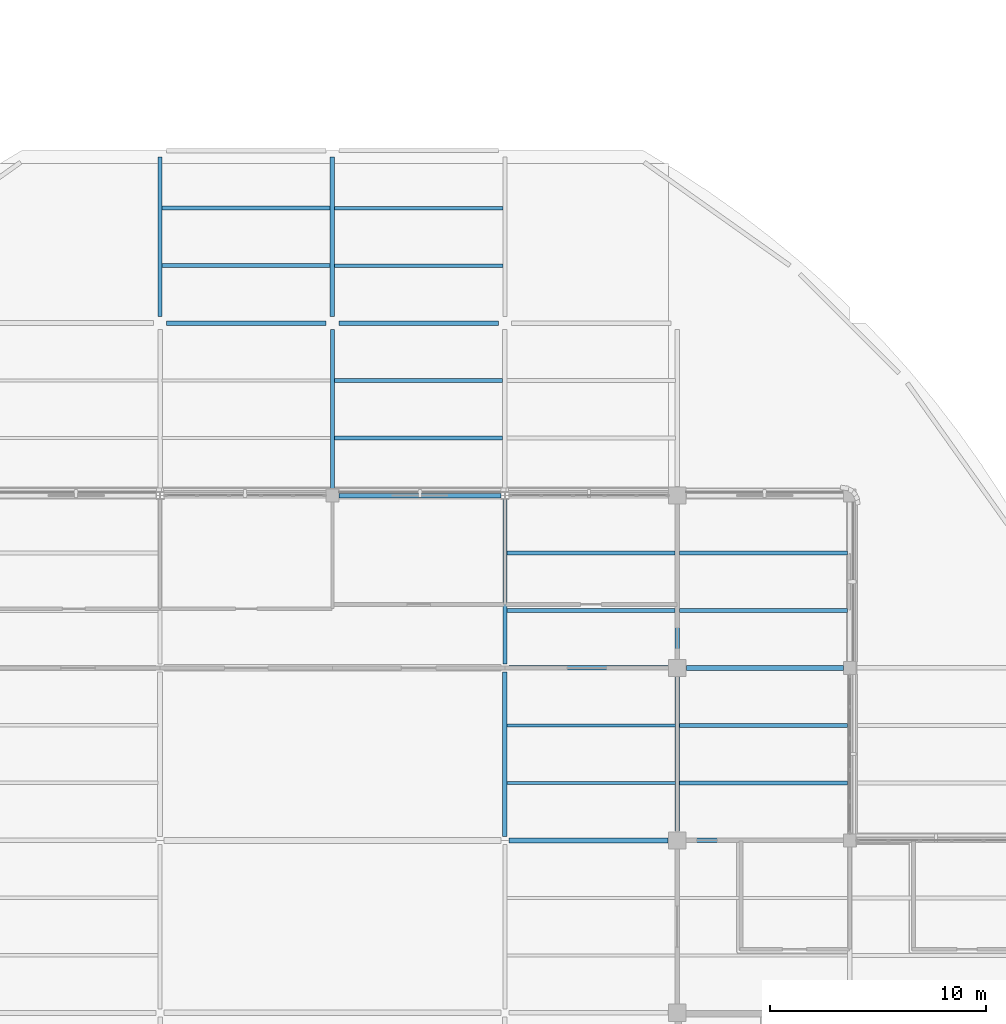
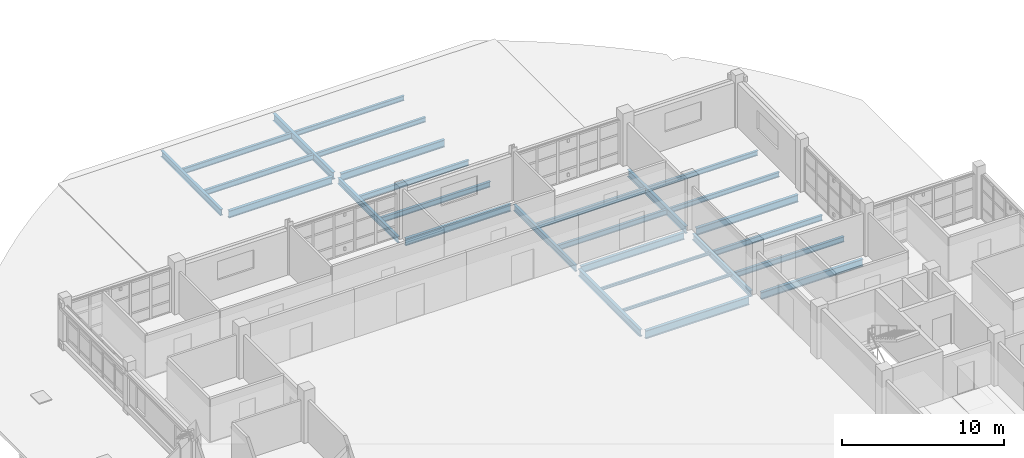
# One storey, part 41 of 126: 28 beams.
"""IFC4 building model written with IfcOpenShell, lengths in metres."""

from ifc_helpers import new_model, si_unit, derived_unit, direction, frame, origin, origin_2d, place, context, subcontext, project, spatial, i_section, extrude, material, material_profile, profile_set, type_object, element, save


model = new_model("IFC4")

# Units and contexts
model_context = context("Model", 3, precision=1e-05, world=origin(), true_north=direction((0.0, 1.0)))
body_context = subcontext(model_context, "Body", "Model", "MODEL_VIEW")
ifc_project = project(units=[si_unit("LENGTHUNIT", "METRE"), si_unit("AREAUNIT", "SQUARE_METRE"), si_unit("VOLUMEUNIT", "CUBIC_METRE"), si_unit("PLANEANGLEUNIT", "RADIAN"), si_unit("MASSUNIT", "GRAM", prefix="KILO"), derived_unit("THERMALTRANSMITTANCEUNIT", [(si_unit("MASSUNIT", "GRAM", prefix="KILO"), 1), (si_unit("TIMEUNIT", "SECOND"), -3), (si_unit("THERMODYNAMICTEMPERATUREUNIT", "KELVIN"), -1)])], contexts=[model_context])

# Site, building, storey
site_placement = place(None, origin())
site = spatial("IfcSite", under=ifc_project, at=site_placement, CompositionType="ELEMENT")
building_placement = place(site_placement, origin())
building = spatial("IfcBuilding", under=site, at=building_placement, Name="Veyamyaing Civic Hall", CompositionType="ELEMENT")
storey_placement = place(building_placement, frame((0.0, 0.0, 9.89990234375)))
storey = spatial("IfcBuildingStorey", under=building, at=storey_placement, Name="L02", CompositionType="ELEMENT", Elevation=9.89990234375)

# Beams
ifc_material = material(Name="Steel ASTM A992", Category="steel")
ifc_material_profile_1 = material_profile(ifc_material, i_section(OverallWidth=0.22802734375, OverallDepth=0.60791015625, WebThickness=0.01123046875, FlangeThickness=0.017333984375, FilletRadius=0.012939453125, at=origin_2d()), Name="W610X113")
ifc_profile_set_1 = profile_set([ifc_material_profile_1], Name="Steel ASTM A992")
beam_type_1 = type_object("IfcBeamType", Name="B-06", PredefinedType="BEAM", material=ifc_profile_set_1)
beam_1_placement = place(storey_placement, frame((96.18701171875, 64.0, -0.5888671875), z_axis=(1.0, 0.0, 0.0), x_axis=(0.0, 1.0, 0.0)))
element("IfcBeam", 1, at=beam_1_placement, inside=storey, type_object=beam_type_1, Name="Girder B-06 L02 Grid J 13-14", PredefinedType="BEAM", context=body_context, shape_type="SweptSolid", body=[
    extrude(i_section(OverallWidth=0.22802734375, OverallDepth=0.60791015625, WebThickness=0.01123046875, FlangeThickness=0.017333984375, FilletRadius=0.012939453125, at=origin_2d()), origin(), (0.0, 0.0, 1.0), 7.387939453125),
])
ifc_material_profile_2 = material_profile(ifc_material, i_section(OverallWidth=0.208984375, OverallDepth=0.532958984375, WebThickness=0.01025390625, FlangeThickness=0.015625, FilletRadius=0.011962890625, at=origin_2d()), Name="W530X92")
ifc_profile_set_2 = profile_set([ifc_material_profile_2], Name="Steel ASTM A992")
beam_type_2 = type_object("IfcBeamType", Name="B-07", PredefinedType="BEAM", material=ifc_profile_set_2)
beam_2_placement = place(storey_placement, frame((104.425048828125, 64.0, -0.551513671875), z_axis=(1.0, 0.0, 0.0), x_axis=(0.0, 1.0, 0.0)))
element("IfcBeam", 2, at=beam_2_placement, inside=storey, type_object=beam_type_2, Name="Girder B-07 L02 Grid J 14-15", PredefinedType="BEAM", context=body_context, shape_type="SweptSolid", body=[
    extrude(i_section(OverallWidth=0.208984375, OverallDepth=0.532958984375, WebThickness=0.01025390625, FlangeThickness=0.015625, FilletRadius=0.011962890625, at=origin_2d()), origin(), (0.0, 0.0, 1.0), 7.27490234375),
])
beam_3_placement = place(storey_placement, frame((96.18701171875, 72.0, -0.551513671875), z_axis=(1.0, 0.0, 0.0), x_axis=(0.0, 1.0, 0.0)))
element("IfcBeam", 3, at=beam_3_placement, inside=storey, type_object=beam_type_2, Name="Girder B-07 L02 Grid K 13-14", PredefinedType="BEAM", context=body_context, shape_type="SweptSolid", body=[
    extrude(i_section(OverallWidth=0.208984375, OverallDepth=0.532958984375, WebThickness=0.01025390625, FlangeThickness=0.015625, FilletRadius=0.011962890625, at=origin_2d()), origin(), (0.0, 0.0, 1.0), 7.387939453125),
])
beam_4_placement = place(storey_placement, frame((88.300048828125, 80.0, -0.551513671875), z_axis=(1.0, 0.0, 0.0), x_axis=(0.0, 1.0, 0.0)))
element("IfcBeam", 4, at=beam_4_placement, inside=storey, type_object=beam_type_2, Name="Girder B-07 L02 Grid L 12-13", PredefinedType="BEAM", context=body_context, shape_type="SweptSolid", body=[
    extrude(i_section(OverallWidth=0.208984375, OverallDepth=0.532958984375, WebThickness=0.01025390625, FlangeThickness=0.015625, FilletRadius=0.011962890625, at=origin_2d()), origin(), (0.0, 0.0, 1.0), 7.512939453125),
])
beam_5_placement = place(storey_placement, frame((80.300048828125, 88.0, -0.50634765625), z_axis=(1.0, 0.0, 0.0), x_axis=(0.0, 1.0, 0.0)))
element("IfcBeam", 5, at=beam_5_placement, inside=storey, type_object=beam_type_2, Name="Girder B-07 L02 Grid M 11-12", PredefinedType="BEAM", context=body_context, shape_type="SweptSolid", body=[
    extrude(i_section(OverallWidth=0.208984375, OverallDepth=0.532958984375, WebThickness=0.01025390625, FlangeThickness=0.015625, FilletRadius=0.011962890625, at=origin_2d()), origin(), (0.0, 0.0, 1.0), 7.39990234375),
])
beam_6_placement = place(storey_placement, frame((96.0, 64.18603515625, -0.551513671875), z_axis=(0.0, 1.0, 0.0), x_axis=(-1.0, 0.0, 0.0)))
element("IfcBeam", 6, at=beam_6_placement, inside=storey, type_object=beam_type_2, Name="Girder B-07 L02 Grid 13 J-K", PredefinedType="BEAM", context=body_context, shape_type="SweptSolid", body=[
    extrude(i_section(OverallWidth=0.208984375, OverallDepth=0.532958984375, WebThickness=0.01025390625, FlangeThickness=0.015625, FilletRadius=0.011962890625, at=origin_2d()), origin(), (0.0, 0.0, 1.0), 7.6279296875),
])
ifc_material_profile_3 = material_profile(ifc_material, i_section(OverallWidth=0.19189453125, OverallDepth=0.462890625, WebThickness=0.010498046875, FlangeThickness=0.017578125, FilletRadius=0.010009765625, at=origin_2d()), Name="W460X89")
ifc_profile_set_3 = profile_set([ifc_material_profile_3], Name="Steel ASTM A992")
beam_type_3 = type_object("IfcBeamType", Name="B-08", PredefinedType="BEAM", material=ifc_profile_set_3)
for number, where, z_axis, x_axis, name in (
    (7, (80.0, 88.300048828125, -0.471435546875), (0.0, 1.0, 0.0), (-1.0, 0.0, 0.0), "Girder B-08 L02 Grid 11 M-N"),
    (8, (88.0, 80.300048828125, -0.471435546875), (0.0, 1.0, 0.0), (-1.0, 0.0, 0.0), "Girder B-08 L02 Grid 12 L-M"),
):
    element("IfcBeam", number, at=place(storey_placement, frame(where, z_axis=z_axis, x_axis=x_axis)), inside=storey, type_object=beam_type_3, Name=name, PredefinedType="BEAM", context=body_context, shape_type="SweptSolid", body=[
        extrude(i_section(OverallWidth=0.19189453125, OverallDepth=0.462890625, WebThickness=0.010498046875, FlangeThickness=0.017578125, FilletRadius=0.010009765625, at=origin_2d()), origin(), (0.0, 0.0, 1.0), 7.39990234375),
    ])
beam_7_placement = place(storey_placement, frame((96.0, 72.18603515625, -0.516357421875), z_axis=(0.0, 1.0, 0.0), x_axis=(-1.0, 0.0, 0.0)))
element("IfcBeam", 9, at=beam_7_placement, inside=storey, type_object=beam_type_3, Name="Girder B-08 L02 Grid 13 K-L", PredefinedType="BEAM", context=body_context, shape_type="SweptSolid", body=[
    extrude(i_section(OverallWidth=0.19189453125, OverallDepth=0.462890625, WebThickness=0.010498046875, FlangeThickness=0.017578125, FilletRadius=0.010009765625, at=origin_2d()), origin(), (0.0, 0.0, 1.0), 7.6279296875),
])
beam_8_placement = place(storey_placement, frame((104.0, 64.425048828125, -0.516357421875), z_axis=(0.0, 1.0, 0.0), x_axis=(-1.0, 0.0, 0.0)))
element("IfcBeam", 10, at=beam_8_placement, inside=storey, type_object=beam_type_3, Name="Girder B-08 L02 Grid 14 J-K", PredefinedType="BEAM", context=body_context, shape_type="SweptSolid", body=[
    extrude(i_section(OverallWidth=0.19189453125, OverallDepth=0.462890625, WebThickness=0.010498046875, FlangeThickness=0.017578125, FilletRadius=0.010009765625, at=origin_2d()), origin(), (0.0, 0.0, 1.0), 7.14990234375),
])
ifc_material_profile_4 = material_profile(ifc_material, i_section(OverallWidth=0.214111328125, OverallDepth=0.549072265625, WebThickness=0.0146484375, FlangeThickness=0.023681640625, FilletRadius=0.011962890625, at=origin_2d()), Name="W530X138")
ifc_profile_set_4 = profile_set([ifc_material_profile_4], Name="Steel ASTM A992")
beam_type_4 = type_object("IfcBeamType", Name="B-16", PredefinedType="BEAM", material=ifc_profile_set_4)
beam_9_placement = place(storey_placement, frame((104.425048828125, 72.0, -0.559326171875), z_axis=(1.0, 0.0, 0.0), x_axis=(0.0, 1.0, 0.0)))
element("IfcBeam", 11, at=beam_9_placement, inside=storey, type_object=beam_type_4, Name="Girder B-16 L02 Grid K 14-15", PredefinedType="BEAM", context=body_context, shape_type="SweptSolid", body=[
    extrude(i_section(OverallWidth=0.214111328125, OverallDepth=0.549072265625, WebThickness=0.0146484375, FlangeThickness=0.023681640625, FilletRadius=0.011962890625, at=origin_2d()), origin(), (0.0, 0.0, 1.0), 7.27490234375),
])
beam_10_placement = place(storey_placement, frame((88.300048828125, 88.0, -0.514404296875), z_axis=(1.0, 0.0, 0.0), x_axis=(0.0, 1.0, 0.0)))
element("IfcBeam", 12, at=beam_10_placement, inside=storey, type_object=beam_type_4, Name="Girder B-16 L02 Grid M 12-13", PredefinedType="BEAM", context=body_context, shape_type="SweptSolid", body=[
    extrude(i_section(OverallWidth=0.214111328125, OverallDepth=0.549072265625, WebThickness=0.0146484375, FlangeThickness=0.023681640625, FilletRadius=0.011962890625, at=origin_2d()), origin(), (0.0, 0.0, 1.0), 7.39990234375),
])
ifc_material_profile_5 = material_profile(ifc_material, i_section(OverallWidth=0.2109375, OverallDepth=0.5390625, WebThickness=0.01171875, FlangeThickness=0.018798828125, FilletRadius=0.011962890625, at=origin_2d()), Name="W530X109")
ifc_profile_set_5 = profile_set([ifc_material_profile_5], Name="Steel ASTM A992")
beam_type_5 = type_object("IfcBeamType", Name="B-17", PredefinedType="BEAM", material=ifc_profile_set_5)
beam_11_placement = place(storey_placement, frame((88.0, 88.300048828125, -0.509521484375), z_axis=(0.0, 1.0, 0.0), x_axis=(-1.0, 0.0, 0.0)))
element("IfcBeam", 13, at=beam_11_placement, inside=storey, type_object=beam_type_5, Name="Girder B-17 L02 Grid 12 M-N", PredefinedType="BEAM", context=body_context, shape_type="SweptSolid", body=[
    extrude(i_section(OverallWidth=0.2109375, OverallDepth=0.5390625, WebThickness=0.01171875, FlangeThickness=0.018798828125, FilletRadius=0.011962890625, at=origin_2d()), origin(), (0.0, 0.0, 1.0), 7.39990234375),
])
beam_12_placement = place(storey_placement, frame((104.0, 72.425048828125, -0.554443359375), z_axis=(0.0, 1.0, 0.0), x_axis=(-1.0, 0.0, 0.0)))
element("IfcBeam", 14, at=beam_12_placement, inside=storey, type_object=beam_type_5, Name="Girder B-17 L02 Grid 14 K-L", PredefinedType="BEAM", context=body_context, shape_type="SweptSolid", body=[
    extrude(i_section(OverallWidth=0.2109375, OverallDepth=0.5390625, WebThickness=0.01171875, FlangeThickness=0.018798828125, FilletRadius=0.011962890625, at=origin_2d()), origin(), (0.0, 0.0, 1.0), 7.14990234375),
])
ifc_material_profile_6 = material_profile(ifc_material, i_section(OverallWidth=0.177978515625, OverallDepth=0.406982421875, WebThickness=0.0078125, FlangeThickness=0.0126953125, FilletRadius=0.010009765625, at=origin_2d()), Name="W410X60")
ifc_profile_set_6 = profile_set([ifc_material_profile_6], Name="Steel ASTM A992")
beam_type_6 = type_object("IfcBeamType", Name="J-01", PredefinedType="JOIST", material=ifc_profile_set_6)
for number, where, z_axis, x_axis, name in (
    (15, (80.093994140625, 90.666748046875, -0.443359375), (1.0, 0.0, 0.0), (0.0, 1.0, 0.0), "Composite floor joist J-01 L02 11.12.1"),
    (16, (80.093994140625, 93.333251953125, -0.443359375), (1.0, 0.0, 0.0), (0.0, 1.0, 0.0), "Composite floor joist J-01 L02 11.12.2"),
    (17, (88.093994140625, 82.666748046875, -0.443359375), (1.0, 0.0, 0.0), (0.0, 1.0, 0.0), "Composite floor joist J-01 L02 12.11.1"),
    (18, (88.093994140625, 85.333251953125, -0.443359375), (1.0, 0.0, 0.0), (0.0, 1.0, 0.0), "Composite floor joist J-01 L02 12.11.2"),
    (19, (96.093994140625, 74.666748046875, -0.48828125), (1.0, 0.0, 0.0), (0.0, 1.0, 0.0), "Composite floor joist J-01 L02 13.10.1"),
    (20, (96.093994140625, 77.333251953125, -0.48828125), (1.0, 0.0, 0.0), (0.0, 1.0, 0.0), "Composite floor joist J-01 L02 13.10.2"),
    (21, (104.093994140625, 66.666748046875, -0.48828125), (1.0, 0.0, 0.0), (0.0, 1.0, 0.0), "Composite floor joist J-01 L02 14.9.1"),
    (22, (104.093994140625, 69.333251953125, -0.48828125), (1.0, 0.0, 0.0), (0.0, 1.0, 0.0), "Composite floor joist J-01 L02 14.9.2"),
):
    element("IfcBeam", number, at=place(storey_placement, frame(where, z_axis=z_axis, x_axis=x_axis)), inside=storey, type_object=beam_type_6, Name=name, PredefinedType="JOIST", context=body_context, shape_type="SweptSolid", body=[
        extrude(i_section(OverallWidth=0.177978515625, OverallDepth=0.406982421875, WebThickness=0.0078125, FlangeThickness=0.0126953125, FilletRadius=0.010009765625, at=origin_2d()), origin(), (0.0, 0.0, 1.0), 7.802490234375),
    ])
ifc_material_profile_7 = material_profile(ifc_material, i_section(OverallWidth=0.172119140625, OverallDepth=0.35791015625, WebThickness=0.0078125, FlangeThickness=0.01318359375, FilletRadius=0.010009765625, at=origin_2d()), Name="W360X57")
ifc_profile_set_7 = profile_set([ifc_material_profile_7], Name="Steel ASTM A992")
beam_type_7 = type_object("IfcBeamType", Name="J-02", PredefinedType="JOIST", material=ifc_profile_set_7)
for number, where, z_axis, x_axis, name in (
    (23, (88.103515625, 90.666748046875, -0.4189453125), (1.0, 0.0, 0.0), (0.0, 1.0, 0.0), "Composite floor joist J-02 L02 12.12.1"),
    (24, (88.103515625, 93.333251953125, -0.4189453125), (1.0, 0.0, 0.0), (0.0, 1.0, 0.0), "Composite floor joist J-02 L02 12.12.2"),
    (25, (104.103515625, 74.666748046875, -0.4638671875), (1.0, 0.0, 0.0), (0.0, 1.0, 0.0), "Composite floor joist J-02 L02 14.10.1"),
    (26, (104.103515625, 77.333251953125, -0.4638671875), (1.0, 0.0, 0.0), (0.0, 1.0, 0.0), "Composite floor joist J-02 L02 14.10.2"),
):
    element("IfcBeam", number, at=place(storey_placement, frame(where, z_axis=z_axis, x_axis=x_axis)), inside=storey, type_object=beam_type_7, Name=name, PredefinedType="JOIST", context=body_context, shape_type="SweptSolid", body=[
        extrude(i_section(OverallWidth=0.172119140625, OverallDepth=0.35791015625, WebThickness=0.0078125, FlangeThickness=0.01318359375, FilletRadius=0.010009765625, at=origin_2d()), origin(), (0.0, 0.0, 1.0), 7.801513671875),
    ])
ifc_material_profile_8 = material_profile(ifc_material, i_section(OverallWidth=0.133056640625, OverallDepth=0.20703125, WebThickness=0.005859375, FlangeThickness=0.00830078125, FilletRadius=0.010009765625, at=origin_2d()), Name="W200X27")
ifc_profile_set_8 = profile_set([ifc_material_profile_8], Name="Steel ASTM A992")
beam_type_8 = type_object("IfcBeamType", Name="J-08", PredefinedType="JOIST", material=ifc_profile_set_8)
for number, where, z_axis, x_axis, name in (
    (27, (96.1025390625, 66.666748046875, -0.388427734375), (1.0, 0.0, 0.0), (0.0, 1.0, 0.0), "Composite floor joist J-08 L02 13.9.1"),
    (28, (96.1025390625, 69.333251953125, -0.388427734375), (1.0, 0.0, 0.0), (0.0, 1.0, 0.0), "Composite floor joist J-08 L02 13.9.2"),
):
    element("IfcBeam", number, at=place(storey_placement, frame(where, z_axis=z_axis, x_axis=x_axis)), inside=storey, type_object=beam_type_8, Name=name, PredefinedType="JOIST", context=body_context, shape_type="SweptSolid", body=[
        extrude(i_section(OverallWidth=0.133056640625, OverallDepth=0.20703125, WebThickness=0.005859375, FlangeThickness=0.00830078125, FilletRadius=0.010009765625, at=origin_2d()), origin(), (0.0, 0.0, 1.0), 7.803466796875),
    ])

save(model, "model.ifc")
